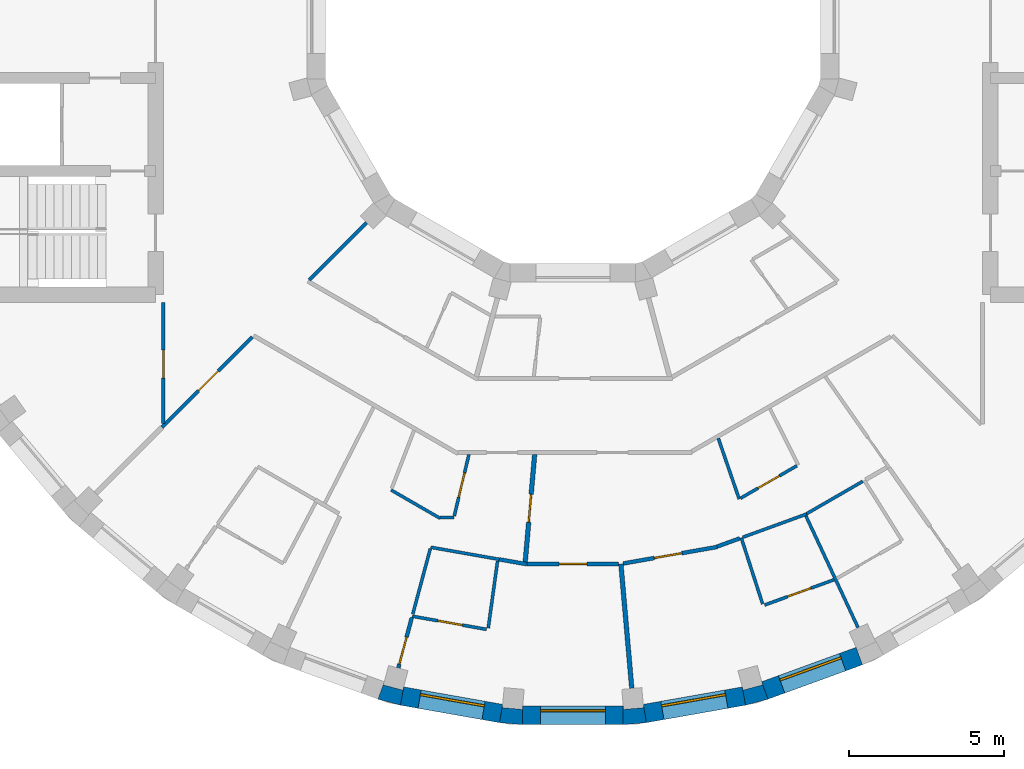
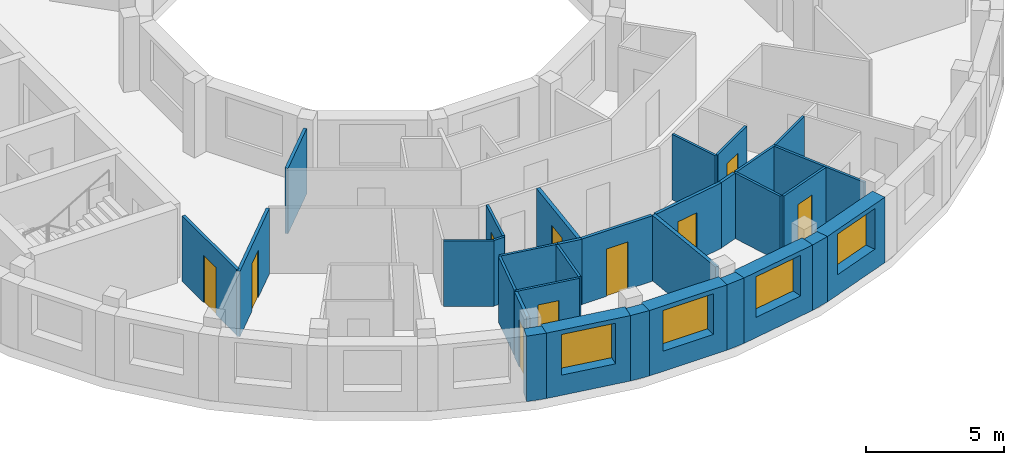
# One storey, part 4 of 12: 32 walls, 10 doors, 4 windows, 14 openings.
"""IFC4 building model written with IfcOpenShell, lengths in metres."""

from ifc_helpers import new_model, si_unit, direction, frame, frame_2d, origin, place, context, subcontext, project, spatial, polyline, rectangle, outline, extrude, material, layer, layer_set, type_object, element, fill, save


model = new_model("IFC4")

# Units and contexts
model_context = context("Model", 3, precision=1e-05, world=origin(), true_north=direction((0.0, 1.0)))
body_context = subcontext(model_context, "Body", "Model", "MODEL_VIEW")
ifc_project = project(units=[si_unit("LENGTHUNIT", "METRE"), si_unit("AREAUNIT", "SQUARE_METRE"), si_unit("VOLUMEUNIT", "CUBIC_METRE"), si_unit("PLANEANGLEUNIT", "RADIAN"), si_unit("MASSUNIT", "GRAM", prefix="KILO")], contexts=[model_context])

# Site, building, storey
site_placement = place(None, origin())
site = spatial("IfcSite", under=ifc_project, at=site_placement, CompositionType="ELEMENT")
building_placement = place(site_placement, origin())
building = spatial("IfcBuilding", under=site, at=building_placement, Name="Saqina Gate Tower", CompositionType="ELEMENT")
storey_placement = place(building_placement, frame((0.0, 0.0, 236.300048828125)))
storey = spatial("IfcBuildingStorey", under=building, at=storey_placement, Name="L67", CompositionType="ELEMENT", Elevation=236.300048828125)

# Walls
ifc_material_1 = material(Name="Brick masonry (buff)", Category="masonry")
wall_type_1 = type_object("IfcWallType", Name="BRICK PIER COPING BUFF", PredefinedType="SOLIDWALL", material=ifc_material_1)
wall_1_placement = place(storey_placement, origin())
element("IfcWall", 1, at=wall_1_placement, inside=storey, type_object=wall_type_1, Name="Pier cap L67 column 26", PredefinedType="SOLIDWALL", context=body_context, shape_type="SweptSolid", body=[
    extrude(outline(polyline([(-5.579833984375, -22.281982421875), (-5.4755859375, -21.691162109375), (-5.5029296875, -21.793212890625), (-6.130859375, -21.625), (-6.103515625, -21.52294921875), (-6.30859375, -22.0869140625), (-5.579833984375, -22.281982421875)])), origin(), (0.0, 0.0, 1.0), 2.89990234375),
])
wall_2_placement = place(storey_placement, origin())
element("IfcWall", 2, at=wall_2_placement, inside=storey, type_object=wall_type_1, Name="Pier cap L67 column 27", PredefinedType="SOLIDWALL", context=body_context, shape_type="SweptSolid", body=[
    extrude(outline(polyline([(-2.377685546875, -22.8466796875), (-1.625732421875, -22.91259765625), (-1.625732421875, -22.3125), (-1.635009765625, -22.417724609375), (-2.28271484375, -22.361083984375), (-2.2734375, -22.255859375), (-2.377685546875, -22.8466796875)])), origin(), (0.0, 0.0, 1.0), 2.89990234375),
])
wall_3_placement = place(storey_placement, origin())
element("IfcWall", 3, at=wall_3_placement, inside=storey, type_object=wall_type_1, Name="Pier cap L67 column 28", PredefinedType="SOLIDWALL", context=body_context, shape_type="SweptSolid", body=[
    extrude(outline(polyline([(1.625732421875, -22.91259765625), (2.377685546875, -22.8466796875), (2.2734375, -22.255859375), (2.28271484375, -22.361083984375), (1.635009765625, -22.417724609375), (1.625732421875, -22.3125), (1.625732421875, -22.91259765625)])), origin(), (0.0, 0.0, 1.0), 2.89990234375),
])
wall_4_placement = place(storey_placement, origin())
element("IfcWall", 4, at=wall_4_placement, inside=storey, type_object=wall_type_1, Name="Pier cap L67 column 29", PredefinedType="SOLIDWALL", context=body_context, shape_type="SweptSolid", body=[
    extrude(outline(polyline([(6.30859375, -22.0869140625), (6.103515625, -21.52294921875), (6.130859375, -21.625), (5.5029296875, -21.793212890625), (5.4755859375, -21.691162109375), (5.579833984375, -22.281982421875), (6.30859375, -22.0869140625)])), origin(), (0.0, 0.0, 1.0), 2.89990234375),
])

# Wall, opening, window
ifc_material_2 = material(Name="Brick masonry (buff)", Category="masonry")
ifc_layer_1 = layer(ifc_material_2, 0.60009765625)
ifc_layer_set_1 = layer_set([ifc_layer_1], Name="FW-BRICK-BUFF")
wall_type_2 = type_object("IfcWallType", Name="FW-BRICK-BUFF", PredefinedType="SOLIDWALL", material=ifc_layer_set_1)
wall_5_placement = place(storey_placement, frame((-5.52783203125, -21.986572265625, 0.0), z_axis=(0.0, 0.0, 1.0), x_axis=(0.984806225186, -0.173656842178, 0.0)))
wall_5 = element("IfcWall", 5, at=wall_5_placement, inside=storey, type_object=wall_type_2, Name="Facade wall L67 facet 26", PredefinedType="SOLIDWALL", context=body_context, shape_type="SweptSolid", body=[
    extrude(rectangle(XDim=3.251708984375, YDim=0.60009765625, at=frame_2d((1.6259765625, 0.0))), origin(), (0.0, 0.0, 1.0), 2.89990234375),
])
opening_1_placement = place(wall_5_placement, frame((0.57568359375, 0.0, 0.89990234375)))
opening_1 = element("IfcOpeningElement", 6, at=opening_1_placement, cuts=wall_5, Name="Opening G19-W15", PredefinedType="OPENING", context=body_context, shape_type="SweptSolid", body=[
    extrude(rectangle(XDim=2.10009765625, YDim=1.800048828125, at=frame_2d((1.050048828125, 0.89990234375))), frame((0.0, 0.31201171875, 0.0), z_axis=(0.0, -1.0, 0.0), x_axis=(1.0, 0.0, 0.0)), (0.0, 0.0, 1.0), 0.6240234375),
])
ifc_material_3 = material(Name="Aluminium glazing", Category="aluminium")
window_type = type_object("IfcWindowType", Name="WN-D", PartitioningType="SINGLE_PANEL", PredefinedType="WINDOW", material=ifc_material_3)
window_1_placement = place(opening_1_placement, origin())
window_1 = element("IfcWindow", 7, at=window_1_placement, inside=storey, type_object=window_type, Name="Window L67 facet 26", OverallHeight=1.800048828125, OverallWidth=2.10009765625, PartitioningType="SINGLE_PANEL", PredefinedType="WINDOW", context=body_context, shape_type="SweptSolid", body=[
    extrude(rectangle(XDim=2.10009765625, YDim=1.800048828125, at=frame_2d((1.050048828125, 0.89990234375))), frame((0.0, 0.179931640625, 0.0), z_axis=(0.0, -1.0, 0.0), x_axis=(1.0, 0.0, 0.0)), (0.0, 0.0, 1.0), 0.06005859375),
])
fill(opening_1, window_1)

wall_6_placement = place(storey_placement, frame((-1.625732421875, -22.612548828125, 0.0), z_axis=(0.0, 0.0, 1.0), x_axis=(1.0, 0.0, 0.0)))
wall_6 = element("IfcWall", 8, at=wall_6_placement, inside=storey, type_object=wall_type_2, Name="Facade wall L67 facet 27", PredefinedType="SOLIDWALL", context=body_context, shape_type="SweptSolid", body=[
    extrude(rectangle(XDim=3.25146484375, YDim=0.60009765625, at=frame_2d((1.625732421875, 0.0))), origin(), (0.0, 0.0, 1.0), 2.89990234375),
])
opening_2_placement = place(wall_6_placement, frame((0.57568359375, 0.0, 0.89990234375)))
opening_2 = element("IfcOpeningElement", 9, at=opening_2_placement, cuts=wall_6, Name="Opening G19-W16", PredefinedType="OPENING", context=body_context, shape_type="SweptSolid", body=[
    extrude(rectangle(XDim=2.10009765625, YDim=1.800048828125, at=frame_2d((1.050048828125, 0.89990234375))), frame((0.0, 0.31201171875, 0.0), z_axis=(0.0, -1.0, 0.0), x_axis=(1.0, 0.0, 0.0)), (0.0, 0.0, 1.0), 0.6240234375),
])
window_2_placement = place(opening_2_placement, origin())
window_2 = element("IfcWindow", 10, at=window_2_placement, inside=storey, type_object=window_type, Name="Window L67 facet 27", OverallHeight=1.800048828125, OverallWidth=2.10009765625, PartitioningType="SINGLE_PANEL", PredefinedType="WINDOW", context=body_context, shape_type="SweptSolid", body=[
    extrude(rectangle(XDim=2.10009765625, YDim=1.800048828125, at=frame_2d((1.050048828125, 0.89990234375))), frame((0.0, 0.179931640625, 0.0), z_axis=(0.0, -1.0, 0.0), x_axis=(1.0, 0.0, 0.0)), (0.0, 0.0, 1.0), 0.06005859375),
])
fill(opening_2, window_2)

wall_7_placement = place(storey_placement, frame((2.325439453125, -22.55126953125, 0.0), z_axis=(0.0, 0.0, 1.0), x_axis=(0.984806225186, 0.173656842178, 0.0)))
wall_7 = element("IfcWall", 11, at=wall_7_placement, inside=storey, type_object=wall_type_2, Name="Facade wall L67 facet 28", PredefinedType="SOLIDWALL", context=body_context, shape_type="SweptSolid", body=[
    extrude(rectangle(XDim=3.251708984375, YDim=0.60009765625, at=frame_2d((1.6259765625, 0.0))), origin(), (0.0, 0.0, 1.0), 2.89990234375),
])
opening_3_placement = place(wall_7_placement, frame((0.57568359375, 0.0, 0.89990234375)))
opening_3 = element("IfcOpeningElement", 12, at=opening_3_placement, cuts=wall_7, Name="Opening G19-W17", PredefinedType="OPENING", context=body_context, shape_type="SweptSolid", body=[
    extrude(rectangle(XDim=2.10009765625, YDim=1.800048828125, at=frame_2d((1.050048828125, 0.89990234375))), frame((0.0, 0.31201171875, 0.0), z_axis=(0.0, -1.0, 0.0), x_axis=(1.0, 0.0, 0.0)), (0.0, 0.0, 1.0), 0.6240234375),
])
window_3_placement = place(opening_3_placement, origin())
window_3 = element("IfcWindow", 13, at=window_3_placement, inside=storey, type_object=window_type, Name="Window L67 facet 28", OverallHeight=1.800048828125, OverallWidth=2.10009765625, PartitioningType="SINGLE_PANEL", PredefinedType="WINDOW", context=body_context, shape_type="SweptSolid", body=[
    extrude(rectangle(XDim=2.10009765625, YDim=1.800048828125, at=frame_2d((1.050048828125, 0.89990234375))), frame((0.0, 0.179931640625, 0.0), z_axis=(0.0, -1.0, 0.0), x_axis=(1.0, 0.0, 0.0)), (0.0, 0.0, 1.0), 0.06005859375),
])
fill(opening_3, window_3)

wall_8_placement = place(storey_placement, frame((6.2060546875, -21.804931640625, 0.0), z_axis=(0.0, 0.0, 1.0), x_axis=(0.939679383794, 0.342056509473, 0.0)))
wall_8 = element("IfcWall", 14, at=wall_8_placement, inside=storey, type_object=wall_type_2, Name="Facade wall L67 facet 29", PredefinedType="SOLIDWALL", context=body_context, shape_type="SweptSolid", body=[
    extrude(rectangle(XDim=3.251708984375, YDim=0.60009765625, at=frame_2d((1.6259765625, 0.0))), origin(), (0.0, 0.0, 1.0), 2.89990234375),
])
opening_4_placement = place(wall_8_placement, frame((0.57568359375, 0.0, 0.89990234375)))
opening_4 = element("IfcOpeningElement", 15, at=opening_4_placement, cuts=wall_8, Name="Opening G19-W18", PredefinedType="OPENING", context=body_context, shape_type="SweptSolid", body=[
    extrude(rectangle(XDim=2.10009765625, YDim=1.800048828125, at=frame_2d((1.050048828125, 0.89990234375))), frame((0.0, 0.31201171875, 0.0), z_axis=(0.0, -1.0, 0.0), x_axis=(1.0, 0.0, 0.0)), (0.0, 0.0, 1.0), 0.6240234375),
])
window_4_placement = place(opening_4_placement, origin())
window_4 = element("IfcWindow", 16, at=window_4_placement, inside=storey, type_object=window_type, Name="Window L67 facet 29", OverallHeight=1.800048828125, OverallWidth=2.10009765625, PartitioningType="SINGLE_PANEL", PredefinedType="WINDOW", context=body_context, shape_type="SweptSolid", body=[
    extrude(rectangle(XDim=2.10009765625, YDim=1.800048828125, at=frame_2d((1.050048828125, 0.89990234375))), frame((0.0, 0.179931640625, 0.0), z_axis=(0.0, -1.0, 0.0), x_axis=(1.0, 0.0, 0.0)), (0.0, 0.0, 1.0), 0.06005859375),
])
fill(opening_4, window_4)

# Walls
ifc_material_4 = material(Name="Gypsum board on steel studs, 100 mm", Category="steel")
ifc_layer_2 = layer(ifc_material_4, 0.10009765625)
ifc_layer_set_2 = layer_set([ifc_layer_2], Name="PARTITION 100")
wall_type_3 = type_object("IfcWallType", Name="PARTITION 100", PredefinedType="PARTITIONING", material=ifc_layer_set_2)
wall_9_placement = place(storey_placement, frame((5.443115234375, -16.867919921875, 0.0), z_axis=(0.0, 0.0, 1.0), x_axis=(0.307034478859, -0.951698391714, 0.0)))
element("IfcWall", 17, at=wall_9_placement, inside=storey, type_object=wall_type_3, Name="PARTITION PW3-03", PredefinedType="PARTITIONING", context=body_context, shape_type="SweptSolid", body=[
    extrude(rectangle(XDim=2.250244140625, YDim=0.10009765625, at=frame_2d((1.125, 0.0))), origin(), (0.0, 0.0, 1.0), 2.89990234375),
])
wall_10_placement = place(storey_placement, frame((4.700439453125, -13.650146484375, 0.0), z_axis=(0.0, 0.0, 1.0), x_axis=(0.325276885577, -0.945618817341, 0.0)))
element("IfcWall", 18, at=wall_10_placement, inside=storey, type_object=wall_type_3, Name="PARTITION PW3-04", PredefinedType="PARTITIONING", context=body_context, shape_type="SweptSolid", body=[
    extrude(rectangle(XDim=2.076904296875, YDim=0.10009765625, at=frame_2d((1.03857421875, 0.0))), origin(), (0.0, 0.0, 1.0), 2.89990234375),
])
wall_11_placement = place(storey_placement, frame((7.533935546875, -16.159912109375, 0.0), z_axis=(0.0, 0.0, 1.0), x_axis=(0.423136981181, -0.90606572342, 0.0)))
element("IfcWall", 19, at=wall_11_placement, inside=storey, type_object=wall_type_3, Name="PARTITION PW3-06", PredefinedType="PARTITIONING", context=body_context, shape_type="SweptSolid", body=[
    extrude(rectangle(XDim=3.985107421875, YDim=0.10009765625, at=frame_2d((1.99267578125, 0.0))), origin(), (0.0, 0.0, 1.0), 2.89990234375),
])
wall_12_placement = place(storey_placement, frame((-5.881103515625, -15.322509765625, 0.0), z_axis=(0.0, 0.0, 1.0), x_axis=(0.86600600509, -0.50003359802, 0.0)))
element("IfcWall", 20, at=wall_12_placement, inside=storey, type_object=wall_type_3, Name="PARTITION PW3-15", PredefinedType="PARTITIONING", context=body_context, shape_type="SweptSolid", body=[
    extrude(rectangle(XDim=1.833740234375, YDim=0.10009765625, at=frame_2d((0.9169921875, 0.0))), origin(), (0.0, 0.0, 1.0), 2.89990234375),
])

# Wall, opening, door
wall_13_placement = place(storey_placement, frame((-5.198974609375, -19.404052734375, 0.0), z_axis=(0.0, 0.0, 1.0), x_axis=(0.984768439557, -0.173870987956, 0.0)))
wall_13 = element("IfcWall", 21, at=wall_13_placement, inside=storey, type_object=wall_type_3, Name="PARTITION PW3-21", PredefinedType="PARTITIONING", context=body_context, shape_type="SweptSolid", body=[
    extrude(rectangle(XDim=2.43896484375, YDim=0.10009765625, at=frame_2d((1.219482421875, 0.0))), origin(), (0.0, 0.0, 1.0), 2.89990234375),
])
opening_5_placement = place(wall_13_placement, frame((0.843994140625, 0.0, 0.0)))
opening_5 = element("IfcOpeningElement", 22, at=opening_5_placement, cuts=wall_13, Name="Opening G19-D30", PredefinedType="OPENING", context=body_context, shape_type="SweptSolid", body=[
    extrude(rectangle(XDim=0.800048828125, YDim=2.10009765625, at=frame_2d((0.39990234375, 1.050048828125))), frame((0.0, 0.06201171875, 0.0), z_axis=(0.0, -1.0, 0.0), x_axis=(1.0, 0.0, 0.0)), (0.0, 0.0, 1.0), 0.1240234375),
])
ifc_material_5 = material(Name="Timber door leaf, 800 mm", Category="wood")
door_type_1 = type_object("IfcDoorType", Name="DOOR 800 TIMBER", OperationType="SINGLE_SWING_LEFT", PredefinedType="DOOR", material=ifc_material_5)
door_1_placement = place(opening_5_placement, frame((0.800048828125, 0.0, 0.0), z_axis=(0.0, 0.0, 1.0), x_axis=(-1.0, 0.0, 0.0)))
door_1 = element("IfcDoor", 23, at=door_1_placement, inside=storey, type_object=door_type_1, Name="DOOR G19-D30", OperationType="SINGLE_SWING_LEFT", OverallHeight=2.10009765625, OverallWidth=0.800048828125, PredefinedType="DOOR", context=body_context, shape_type="SweptSolid", body=[
    extrude(rectangle(XDim=0.800048828125, YDim=2.10009765625, at=frame_2d((0.39990234375, 1.050048828125))), frame((0.0, 0.02490234375, 0.0), z_axis=(0.0, -1.0, 0.0), x_axis=(1.0, 0.0, 0.0)), (0.0, 0.0, 1.0), 0.050048828125),
])
fill(opening_5, door_1)

# Walls
wall_14_placement = place(storey_placement, frame((-4.60107421875, -17.174072265625, 0.0), z_axis=(0.0, 0.0, 1.0), x_axis=(0.984785740028, -0.173772973268, 0.0)))
element("IfcWall", 24, at=wall_14_placement, inside=storey, type_object=wall_type_3, Name="PARTITION PW3-22", PredefinedType="PARTITIONING", context=body_context, shape_type="SweptSolid", body=[
    extrude(rectangle(XDim=2.25341796875, YDim=0.10009765625, at=frame_2d((1.126708984375, 0.0))), origin(), (0.0, 0.0, 1.0), 2.89990234375),
])
wall_15_placement = place(storey_placement, frame((-4.29296875, -16.2099609375, 0.0), z_axis=(0.0, 0.0, 1.0), x_axis=(1.0, 0.0, 0.0)))
element("IfcWall", 25, at=wall_15_placement, inside=storey, type_object=wall_type_3, Name="PARTITION PW3-25", PredefinedType="PARTITIONING", context=body_context, shape_type="SweptSolid", body=[
    extrude(rectangle(XDim=0.44091796875, YDim=0.10009765625, at=frame_2d((0.220458984375, 0.0))), origin(), (0.0, 0.0, 1.0), 2.89990234375),
])

# Wall, opening, door
wall_16_placement = place(storey_placement, frame((6.197021484375, -19.0419921875, 0.0), z_axis=(0.0, 0.0, 1.0), x_axis=(0.939644231496, 0.342153062556, 0.0)))
wall_16 = element("IfcWall", 26, at=wall_16_placement, inside=storey, type_object=wall_type_3, Name="PARTITION PW3-31", PredefinedType="PARTITIONING", context=body_context, shape_type="SweptSolid", body=[
    extrude(rectangle(XDim=2.390380859375, YDim=0.10009765625, at=frame_2d((1.1953125, 0.0))), origin(), (0.0, 0.0, 1.0), 2.89990234375),
])
opening_6_placement = place(wall_16_placement, frame((0.7958984375, 0.0, 0.0)))
opening_6 = element("IfcOpeningElement", 27, at=opening_6_placement, cuts=wall_16, Name="Opening G19-D38", PredefinedType="OPENING", context=body_context, shape_type="SweptSolid", body=[
    extrude(rectangle(XDim=0.800048828125, YDim=2.10009765625, at=frame_2d((0.39990234375, 1.050048828125))), frame((0.0, 0.06201171875, 0.0), z_axis=(0.0, -1.0, 0.0), x_axis=(1.0, 0.0, 0.0)), (0.0, 0.0, 1.0), 0.1240234375),
])
door_2_placement = place(opening_6_placement, frame((0.800048828125, 0.0, 0.0), z_axis=(0.0, 0.0, 1.0), x_axis=(-1.0, 0.0, 0.0)))
door_2 = element("IfcDoor", 28, at=door_2_placement, inside=storey, type_object=door_type_1, Name="DOOR G19-D38", OperationType="SINGLE_SWING_LEFT", OverallHeight=2.10009765625, OverallWidth=0.800048828125, PredefinedType="DOOR", context=body_context, shape_type="SweptSolid", body=[
    extrude(rectangle(XDim=0.800048828125, YDim=2.10009765625, at=frame_2d((0.39990234375, 1.050048828125))), frame((0.0, 0.02490234375, 0.0), z_axis=(0.0, -1.0, 0.0), x_axis=(1.0, 0.0, 0.0)), (0.0, 0.0, 1.0), 0.050048828125),
])
fill(opening_6, door_2)

# Walls
wall_17_placement = place(storey_placement, frame((5.489990234375, -16.850830078125, 0.0), z_axis=(0.0, 0.0, 1.0), x_axis=(0.939680214162, 0.342054228323, 0.0)))
element("IfcWall", 29, at=wall_17_placement, inside=storey, type_object=wall_type_3, Name="PARTITION PW3-32", PredefinedType="PARTITIONING", context=body_context, shape_type="SweptSolid", body=[
    extrude(rectangle(XDim=2.204833984375, YDim=0.10009765625, at=frame_2d((1.1025390625, 0.0))), origin(), (0.0, 0.0, 1.0), 2.89990234375),
])
wall_18_placement = place(storey_placement, frame((7.557373046875, -16.089111328125, 0.0), z_axis=(0.0, 0.0, 1.0), x_axis=(0.866022320763, 0.500005339912, 0.0)))
element("IfcWall", 30, at=wall_18_placement, inside=storey, type_object=wall_type_3, Name="PARTITION PW3-34", PredefinedType="PARTITIONING", context=body_context, shape_type="SweptSolid", body=[
    extrude(rectangle(XDim=2.091796875, YDim=0.10009765625, at=frame_2d((1.0458984375, 0.0))), origin(), (0.0, 0.0, 1.0), 2.89990234375),
])

# Wall, opening, door
wall_19_placement = place(storey_placement, frame((5.419189453125, -15.589111328125, 0.0), z_axis=(0.0, 0.0, 1.0), x_axis=(0.866071606143, 0.499919966627, 0.0)))
wall_19 = element("IfcWall", 31, at=wall_19_placement, inside=storey, type_object=wall_type_3, Name="PARTITION PW3-35", PredefinedType="PARTITIONING", context=body_context, shape_type="SweptSolid", body=[
    extrude(rectangle(XDim=2.104248046875, YDim=0.10009765625, at=frame_2d((1.05224609375, 0.0))), origin(), (0.0, 0.0, 1.0), 2.89990234375),
])
opening_7_placement = place(wall_19_placement, frame((0.652099609375, 0.0, 0.0)))
opening_7 = element("IfcOpeningElement", 32, at=opening_7_placement, cuts=wall_19, Name="Opening G19-D39", PredefinedType="OPENING", context=body_context, shape_type="SweptSolid", body=[
    extrude(rectangle(XDim=0.800048828125, YDim=2.10009765625, at=frame_2d((0.39990234375, 1.050048828125))), frame((0.0, 0.06201171875, 0.0), z_axis=(0.0, -1.0, 0.0), x_axis=(1.0, 0.0, 0.0)), (0.0, 0.0, 1.0), 0.1240234375),
])
door_3_placement = place(opening_7_placement, frame((0.800048828125, 0.0, 0.0), z_axis=(0.0, 0.0, 1.0), x_axis=(-1.0, 0.0, 0.0)))
door_3 = element("IfcDoor", 33, at=door_3_placement, inside=storey, type_object=door_type_1, Name="DOOR G19-D39", OperationType="SINGLE_SWING_RIGHT", OverallHeight=2.10009765625, OverallWidth=0.800048828125, PredefinedType="DOOR", context=body_context, shape_type="SweptSolid", body=[
    extrude(rectangle(XDim=0.800048828125, YDim=2.10009765625, at=frame_2d((0.39990234375, 1.050048828125))), frame((0.0, 0.02490234375, 0.0), z_axis=(0.0, -1.0, 0.0), x_axis=(1.0, 0.0, 0.0)), (0.0, 0.0, 1.0), 0.050048828125),
])
fill(opening_7, door_3)

# Wall
wall_20_placement = place(storey_placement, frame((-5.18310546875, -19.343505859375, 0.0), z_axis=(0.0, 0.0, 1.0), x_axis=(0.258825000964, 0.965924230401, 0.0)))
element("IfcWall", 34, at=wall_20_placement, inside=storey, type_object=wall_type_3, Name="PARTITION PW3-48", PredefinedType="PARTITIONING", context=body_context, shape_type="SweptSolid", body=[
    extrude(rectangle(XDim=2.19580078125, YDim=0.10009765625, at=frame_2d((1.097900390625, 0.0))), origin(), (0.0, 0.0, 1.0), 2.89990234375),
])

# Wall, opening, door
wall_21_placement = place(storey_placement, frame((-3.8388671875, -16.1611328125, 0.0), z_axis=(0.0, 0.0, 1.0), x_axis=(0.231512969314, 0.972831817448, 0.0)))
wall_21 = element("IfcWall", 35, at=wall_21_placement, inside=storey, type_object=wall_type_3, Name="PARTITION PW3-50", PredefinedType="PARTITIONING", context=body_context, shape_type="SweptSolid", body=[
    extrude(rectangle(XDim=2.0458984375, YDim=0.10009765625, at=frame_2d((1.02294921875, 0.0))), origin(), (0.0, 0.0, 1.0), 2.89990234375),
])
opening_8_placement = place(wall_21_placement, frame((0.629638671875, 0.0, 0.0)))
opening_8 = element("IfcOpeningElement", 36, at=opening_8_placement, cuts=wall_21, Name="Opening G19-D29", PredefinedType="OPENING", context=body_context, shape_type="SweptSolid", body=[
    extrude(rectangle(XDim=0.800048828125, YDim=2.10009765625, at=frame_2d((0.39990234375, 1.050048828125))), frame((0.0, 0.06201171875, 0.0), z_axis=(0.0, -1.0, 0.0), x_axis=(1.0, 0.0, 0.0)), (0.0, 0.0, 1.0), 0.1240234375),
])
door_4_placement = place(opening_8_placement, frame((0.800048828125, 0.0, 0.0), z_axis=(0.0, 0.0, 1.0), x_axis=(-1.0, 0.0, 0.0)))
door_4 = element("IfcDoor", 37, at=door_4_placement, inside=storey, type_object=door_type_1, Name="DOOR G19-D29", OperationType="SINGLE_SWING_LEFT", OverallHeight=2.10009765625, OverallWidth=0.800048828125, PredefinedType="DOOR", context=body_context, shape_type="SweptSolid", body=[
    extrude(rectangle(XDim=0.800048828125, YDim=2.10009765625, at=frame_2d((0.39990234375, 1.050048828125))), frame((0.0, 0.02490234375, 0.0), z_axis=(0.0, -1.0, 0.0), x_axis=(1.0, 0.0, 0.0)), (0.0, 0.0, 1.0), 0.050048828125),
])
fill(opening_8, door_4)

# Walls
wall_22_placement = place(storey_placement, frame((-2.740478515625, -19.787353515625, 0.0), z_axis=(0.0, 0.0, 1.0), x_axis=(0.137501510902, 0.990501557041, 0.0)))
element("IfcWall", 38, at=wall_22_placement, inside=storey, type_object=wall_type_3, Name="PARTITION PW3-52", PredefinedType="PARTITIONING", context=body_context, shape_type="SweptSolid", body=[
    extrude(rectangle(XDim=2.189208984375, YDim=0.10009765625, at=frame_2d((1.0947265625, 0.0))), origin(), (0.0, 0.0, 1.0), 2.89990234375),
])
ifc_material_6 = material(Name="Gypsum board on steel studs, 125 mm, fire rated", Category="steel")
ifc_layer_3 = layer(ifc_material_6, 0.125)
ifc_layer_set_3 = layer_set([ifc_layer_3], Name="PARTITION EI 30 125")
wall_type_4 = type_object("IfcWallType", Name="PARTITION EI 30 125", PredefinedType="PARTITIONING", material=ifc_layer_set_3)
wall_23_placement = place(storey_placement, frame((-2.3818359375, -17.565673828125, 0.0), z_axis=(0.0, 0.0, 1.0), x_axis=(0.984894337211, -0.17315641637, 0.0)))
element("IfcWall", 39, at=wall_23_placement, inside=storey, type_object=wall_type_4, Name="PARTITION PW1-15", PredefinedType="PARTITIONING", context=body_context, shape_type="SweptSolid", body=[
    extrude(rectangle(XDim=0.907958984375, YDim=0.125, at=frame_2d((0.4541015625, 0.0))), origin(), (0.0, 0.0, 1.0), 2.89990234375),
])

# Wall, opening, door
wall_24_placement = place(storey_placement, frame((-1.487548828125, -17.7119140625, 0.0), z_axis=(0.0, 0.0, 1.0), x_axis=(1.0, 0.0, 0.0)))
wall_24 = element("IfcWall", 40, at=wall_24_placement, inside=storey, type_object=wall_type_4, Name="PARTITION PW1-16", PredefinedType="PARTITIONING", context=body_context, shape_type="SweptSolid", body=[
    extrude(rectangle(XDim=2.961669921875, YDim=0.125, at=frame_2d((1.48095703125, 0.0))), origin(), (0.0, 0.0, 1.0), 2.89990234375),
])
opening_9_placement = place(wall_24_placement, frame((1.037109375, 0.0, 0.0)))
opening_9 = element("IfcOpeningElement", 41, at=opening_9_placement, cuts=wall_24, Name="Opening G19-D34", PredefinedType="OPENING", context=body_context, shape_type="SweptSolid", body=[
    extrude(rectangle(XDim=0.89990234375, YDim=2.10009765625, at=frame_2d((0.449951171875, 1.050048828125))), frame((0.0, 0.074462890625, 0.0), z_axis=(0.0, -1.0, 0.0), x_axis=(1.0, 0.0, 0.0)), (0.0, 0.0, 1.0), 0.14892578125),
])
ifc_material_7 = material(Name="Fire door leaf EI 30, 900 mm")
door_type_2 = type_object("IfcDoorType", Name="DOOR 900 EI 30", OperationType="SINGLE_SWING_LEFT", PredefinedType="DOOR", material=ifc_material_7)
door_5_placement = place(opening_9_placement, origin())
door_5 = element("IfcDoor", 42, at=door_5_placement, inside=storey, type_object=door_type_2, Name="DOOR G19-D34", OperationType="SINGLE_SWING_RIGHT", OverallHeight=2.10009765625, OverallWidth=0.89990234375, PredefinedType="DOOR", context=body_context, shape_type="SweptSolid", body=[
    extrude(rectangle(XDim=0.89990234375, YDim=2.10009765625, at=frame_2d((0.449951171875, 1.050048828125))), frame((0.0, 0.02490234375, 0.0), z_axis=(0.0, -1.0, 0.0), x_axis=(1.0, 0.0, 0.0)), (0.0, 0.0, 1.0), 0.050048828125),
])
fill(opening_9, door_5)

wall_25_placement = place(storey_placement, frame((1.623779296875, -17.69873046875, 0.0), z_axis=(0.0, 0.0, 1.0), x_axis=(0.98485035276, 0.17340640896, 0.0)))
wall_25 = element("IfcWall", 43, at=wall_25_placement, inside=storey, type_object=wall_type_4, Name="PARTITION PW1-21", PredefinedType="PARTITIONING", context=body_context, shape_type="SweptSolid", body=[
    extrude(rectangle(XDim=3.087646484375, YDim=0.125, at=frame_2d((1.5439453125, 0.0))), origin(), (0.0, 0.0, 1.0), 2.89990234375),
])
opening_10_placement = place(wall_25_placement, frame((1.0244140625, 0.0, 0.0)))
opening_10 = element("IfcOpeningElement", 44, at=opening_10_placement, cuts=wall_25, Name="Opening G19-D37", PredefinedType="OPENING", context=body_context, shape_type="SweptSolid", body=[
    extrude(rectangle(XDim=0.89990234375, YDim=2.10009765625, at=frame_2d((0.449951171875, 1.050048828125))), frame((0.0, 0.074462890625, 0.0), z_axis=(0.0, -1.0, 0.0), x_axis=(1.0, 0.0, 0.0)), (0.0, 0.0, 1.0), 0.14892578125),
])
door_6_placement = place(opening_10_placement, origin())
door_6 = element("IfcDoor", 45, at=door_6_placement, inside=storey, type_object=door_type_2, Name="DOOR G19-D37", OperationType="SINGLE_SWING_LEFT", OverallHeight=2.10009765625, OverallWidth=0.89990234375, PredefinedType="DOOR", context=body_context, shape_type="SweptSolid", body=[
    extrude(rectangle(XDim=0.89990234375, YDim=2.10009765625, at=frame_2d((0.449951171875, 1.050048828125))), frame((0.0, 0.02490234375, 0.0), z_axis=(0.0, -1.0, 0.0), x_axis=(1.0, 0.0, 0.0)), (0.0, 0.0, 1.0), 0.050048828125),
])
fill(opening_10, door_6)

# Wall
wall_26_placement = place(storey_placement, frame((4.66064453125, -17.152587890625, 0.0), z_axis=(0.0, 0.0, 1.0), x_axis=(0.93962024549, 0.342218927391, 0.0)))
element("IfcWall", 46, at=wall_26_placement, inside=storey, type_object=wall_type_4, Name="PARTITION PW1-23", PredefinedType="PARTITIONING", context=body_context, shape_type="SweptSolid", body=[
    extrude(rectangle(XDim=0.78271484375, YDim=0.125, at=frame_2d((0.391357421875, 0.0))), origin(), (0.0, 0.0, 1.0), 2.89990234375),
])

# Wall, opening, door
wall_27_placement = place(storey_placement, frame((-13.294189453125, -13.294189453125, 0.0), z_axis=(0.0, 0.0, 1.0), x_axis=(0.707106781187, 0.707106781187, 0.0)))
wall_27 = element("IfcWall", 47, at=wall_27_placement, inside=storey, type_object=wall_type_4, Name="PARTITION PW1-29", PredefinedType="PARTITIONING", context=body_context, shape_type="SweptSolid", body=[
    extrude(rectangle(XDim=4.130859375, YDim=0.125, at=frame_2d((2.0654296875, 0.0))), origin(), (0.0, 0.0, 1.0), 2.89990234375),
])
opening_11_placement = place(wall_27_placement, frame((1.677978515625, 0.0, 0.0)))
opening_11 = element("IfcOpeningElement", 48, at=opening_11_placement, cuts=wall_27, Name="Opening G19-D23", PredefinedType="OPENING", context=body_context, shape_type="SweptSolid", body=[
    extrude(rectangle(XDim=0.89990234375, YDim=2.10009765625, at=frame_2d((0.449951171875, 1.050048828125))), frame((0.0, 0.074462890625, 0.0), z_axis=(0.0, -1.0, 0.0), x_axis=(1.0, 0.0, 0.0)), (0.0, 0.0, 1.0), 0.14892578125),
])
door_7_placement = place(opening_11_placement, frame((0.89990234375, 0.0, 0.0), z_axis=(0.0, 0.0, 1.0), x_axis=(-1.0, 0.0, 0.0)))
door_7 = element("IfcDoor", 49, at=door_7_placement, inside=storey, type_object=door_type_2, Name="DOOR G19-D23", OperationType="SINGLE_SWING_LEFT", OverallHeight=2.10009765625, OverallWidth=0.89990234375, PredefinedType="DOOR", context=body_context, shape_type="SweptSolid", body=[
    extrude(rectangle(XDim=0.89990234375, YDim=2.10009765625, at=frame_2d((0.449951171875, 1.050048828125))), frame((0.0, 0.02490234375, 0.0), z_axis=(0.0, -1.0, 0.0), x_axis=(1.0, 0.0, 0.0)), (0.0, 0.0, 1.0), 0.050048828125),
])
fill(opening_11, door_7)

# Wall
wall_28_placement = place(storey_placement, frame((-8.52783203125, -8.52783203125, 0.0), z_axis=(0.0, 0.0, 1.0), x_axis=(0.707106781187, 0.707106781187, 0.0)))
element("IfcWall", 50, at=wall_28_placement, inside=storey, type_object=wall_type_4, Name="PARTITION PW1-30", PredefinedType="PARTITIONING", context=body_context, shape_type="SweptSolid", body=[
    extrude(rectangle(XDim=2.617919921875, YDim=0.125, at=frame_2d((1.30908203125, 0.0))), origin(), (0.0, 0.0, 1.0), 2.89990234375),
])

# Wall, opening, door
wall_29_placement = place(storey_placement, frame((-5.646484375, -21.071533203125, 0.0), z_axis=(0.0, 0.0, 1.0), x_axis=(0.258469191294, 0.966019501434, 0.0)))
wall_29 = element("IfcWall", 51, at=wall_29_placement, inside=storey, type_object=wall_type_4, Name="PARTITION PW1-37", PredefinedType="PARTITIONING", context=body_context, shape_type="SweptSolid", body=[
    extrude(rectangle(XDim=1.676513671875, YDim=0.125, at=frame_2d((0.83837890625, 0.0))), origin(), (0.0, 0.0, 1.0), 2.89990234375),
])
opening_12_placement = place(wall_29_placement, frame((0.122314453125, 0.0, 0.0)))
opening_12 = element("IfcOpeningElement", 52, at=opening_12_placement, cuts=wall_29, Name="Opening G19-D28", PredefinedType="OPENING", context=body_context, shape_type="SweptSolid", body=[
    extrude(rectangle(XDim=0.89990234375, YDim=2.10009765625, at=frame_2d((0.449951171875, 1.050048828125))), frame((0.0, 0.074462890625, 0.0), z_axis=(0.0, -1.0, 0.0), x_axis=(1.0, 0.0, 0.0)), (0.0, 0.0, 1.0), 0.14892578125),
])
door_8_placement = place(opening_12_placement, origin())
door_8 = element("IfcDoor", 53, at=door_8_placement, inside=storey, type_object=door_type_2, Name="DOOR G19-D28", OperationType="SINGLE_SWING_LEFT", OverallHeight=2.10009765625, OverallWidth=0.89990234375, PredefinedType="DOOR", context=body_context, shape_type="SweptSolid", body=[
    extrude(rectangle(XDim=0.89990234375, YDim=2.10009765625, at=frame_2d((0.449951171875, 1.050048828125))), frame((0.0, 0.02490234375, 0.0), z_axis=(0.0, -1.0, 0.0), x_axis=(1.0, 0.0, 0.0)), (0.0, 0.0, 1.0), 0.050048828125),
])
fill(opening_12, door_8)

wall_30_placement = place(storey_placement, frame((-13.25, -13.175048828125, 0.0), z_axis=(0.0, 0.0, 1.0), x_axis=(0.0, 1.0, 0.0)))
wall_30 = element("IfcWall", 54, at=wall_30_placement, inside=storey, type_object=wall_type_4, Name="PARTITION PW1-42", PredefinedType="PARTITIONING", context=body_context, shape_type="SweptSolid", body=[
    extrude(rectangle(XDim=3.925048828125, YDim=0.125, at=frame_2d((1.96240234375, 0.0))), origin(), (0.0, 0.0, 1.0), 2.89990234375),
])
opening_13_placement = place(wall_30_placement, frame((1.47509765625, 0.0, 0.0)))
opening_13 = element("IfcOpeningElement", 55, at=opening_13_placement, cuts=wall_30, Name="Opening G19-D22", PredefinedType="OPENING", context=body_context, shape_type="SweptSolid", body=[
    extrude(rectangle(XDim=0.89990234375, YDim=2.10009765625, at=frame_2d((0.449951171875, 1.050048828125))), frame((0.0, 0.074462890625, 0.0), z_axis=(0.0, -1.0, 0.0), x_axis=(1.0, 0.0, 0.0)), (0.0, 0.0, 1.0), 0.14892578125),
])
door_9_placement = place(opening_13_placement, origin())
door_9 = element("IfcDoor", 56, at=door_9_placement, inside=storey, type_object=door_type_2, Name="DOOR G19-D22", OperationType="SINGLE_SWING_LEFT", OverallHeight=2.10009765625, OverallWidth=0.89990234375, PredefinedType="DOOR", context=body_context, shape_type="SweptSolid", body=[
    extrude(rectangle(XDim=0.89990234375, YDim=2.10009765625, at=frame_2d((0.449951171875, 1.050048828125))), frame((0.0, 0.02490234375, 0.0), z_axis=(0.0, -1.0, 0.0), x_axis=(1.0, 0.0, 0.0)), (0.0, 0.0, 1.0), 0.050048828125),
])
fill(opening_13, door_9)

# Wall
ifc_material_8 = material(Name="Gypsum board on steel studs, 150 mm, fire rated", Category="steel")
ifc_layer_4 = layer(ifc_material_8, 0.14990234375)
ifc_layer_set_4 = layer_set([ifc_layer_4], Name="PARTITION EI 60 150")
wall_type_5 = type_object("IfcWallType", Name="PARTITION EI 60 150", PredefinedType="PARTITIONING", material=ifc_layer_set_4)
wall_31_placement = place(storey_placement, frame((1.5498046875, -17.7119140625, 0.0), z_axis=(0.0, 0.0, 1.0), x_axis=(0.087120418717, -0.996197787913, 0.0)))
element("IfcWall", 57, at=wall_31_placement, inside=storey, type_object=wall_type_5, Name="PARTITION PW2-01", PredefinedType="PARTITIONING", context=body_context, shape_type="SweptSolid", body=[
    extrude(rectangle(XDim=4.035400390625, YDim=0.14990234375, at=frame_2d((2.017578125, 0.0))), origin(), (0.0, 0.0, 1.0), 2.89990234375),
])

# Wall, opening, door
wall_32_placement = place(storey_placement, frame((-1.544921875, -17.649658203125, 0.0), z_axis=(0.0, 0.0, 1.0), x_axis=(0.087495771856, 0.996164890923, 0.0)))
wall_32 = element("IfcWall", 58, at=wall_32_placement, inside=storey, type_object=wall_type_5, Name="PARTITION PW2-11", PredefinedType="PARTITIONING", context=body_context, shape_type="SweptSolid", body=[
    extrude(rectangle(XDim=3.49072265625, YDim=0.14990234375, at=frame_2d((1.745361328125, 0.0))), origin(), (0.0, 0.0, 1.0), 2.89990234375),
])
opening_14_placement = place(wall_32_placement, frame((1.2958984375, 0.0, 0.0)))
opening_14 = element("IfcOpeningElement", 59, at=opening_14_placement, cuts=wall_32, Name="Opening G19-D33", PredefinedType="OPENING", context=body_context, shape_type="SweptSolid", body=[
    extrude(rectangle(XDim=0.89990234375, YDim=2.10009765625, at=frame_2d((0.449951171875, 1.050048828125))), frame((0.0, 0.0869140625, 0.0), z_axis=(0.0, -1.0, 0.0), x_axis=(1.0, 0.0, 0.0)), (0.0, 0.0, 1.0), 0.173828125),
])
door_10_placement = place(opening_14_placement, frame((0.89990234375, 0.0, 0.0), z_axis=(0.0, 0.0, 1.0), x_axis=(-1.0, 0.0, 0.0)))
door_10 = element("IfcDoor", 60, at=door_10_placement, inside=storey, type_object=door_type_2, Name="DOOR G19-D33", OperationType="SINGLE_SWING_LEFT", OverallHeight=2.10009765625, OverallWidth=0.89990234375, PredefinedType="DOOR", context=body_context, shape_type="SweptSolid", body=[
    extrude(rectangle(XDim=0.89990234375, YDim=2.10009765625, at=frame_2d((0.449951171875, 1.050048828125))), frame((0.0, 0.02490234375, 0.0), z_axis=(0.0, -1.0, 0.0), x_axis=(1.0, 0.0, 0.0)), (0.0, 0.0, 1.0), 0.050048828125),
])
fill(opening_14, door_10)

save(model, "model.ifc")
